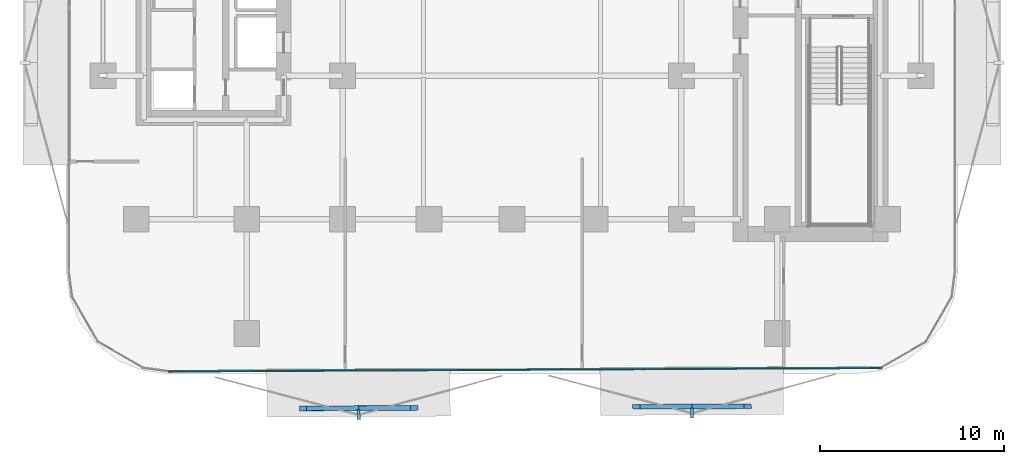
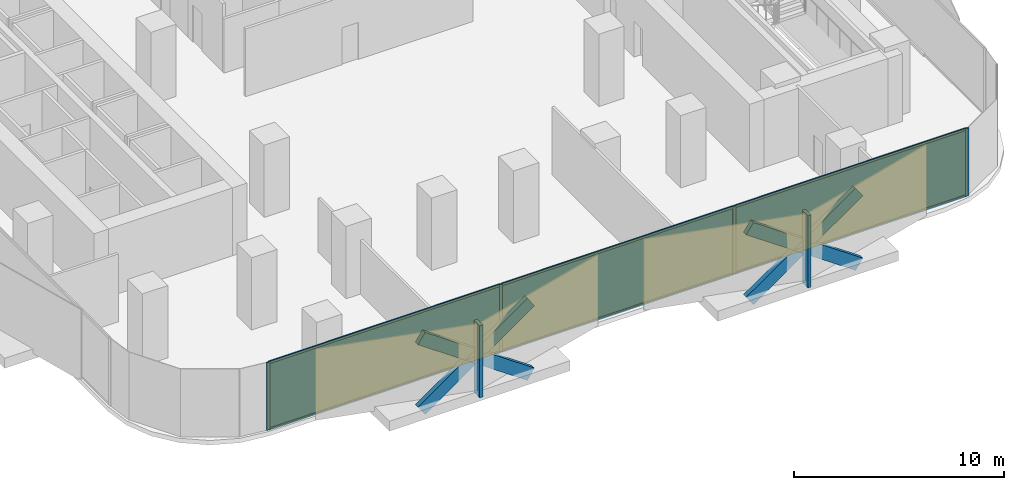
# One storey, part 8 of 16: 16 members, 3 plates, 1 curtain wall.
"""IFC4 building model written with IfcOpenShell, lengths in metres."""

from ifc_helpers import new_model, si_unit, direction, frame, frame_2d, origin, origin_2d, place, context, subcontext, project, spatial, rectangle, extrude, material, layer, layer_set, material_profile, profile_set, type_object, element, aggregate, save


model = new_model("IFC4")

# Units and contexts
model_context = context("Model", 3, precision=1e-05, world=origin(), true_north=direction((0.0, 1.0)))
body_context = subcontext(model_context, "Body", "Model", "MODEL_VIEW")
ifc_project = project(units=[si_unit("LENGTHUNIT", "METRE"), si_unit("AREAUNIT", "SQUARE_METRE"), si_unit("VOLUMEUNIT", "CUBIC_METRE"), si_unit("PLANEANGLEUNIT", "RADIAN"), si_unit("MASSUNIT", "GRAM", prefix="KILO")], contexts=[model_context])

# Member
ifc_material_1 = material(Name="Anodised Bronze Aluminium 6063-T6", Category="aluminium")
ifc_material_profile_1 = material_profile(ifc_material_1, rectangle(XDim=0.260009765625, YDim=0.699951171875, at=origin_2d()))
ifc_profile_set_1 = profile_set([ifc_material_profile_1], Name="Anodised Bronze Aluminium 6063-T6")
member_type_1 = type_object("IfcMemberType", Name="Bronze Diamond Solar-Screen Lattice Rib BDL-700", PredefinedType="MULLION", material=ifc_profile_set_1)
site_placement = place(None, origin())
building_placement = place(site_placement, origin())
storey_placement = place(building_placement, frame((0.0, 0.0, 55.39990234375)))
member_1_placement = place(storey_placement, frame((12.788818359375, -28.747802734375, -0.1298828125), z_axis=(-0.820743653079, -0.003984998518, 0.57128274586), x_axis=(-0.00764700594, 0.999962717129, -0.004010941449)))
member_1 = element("IfcMember", 1, at=member_1_placement, type_object=member_type_1, Name="L13 Bronze Diamond Solar Screen Lattice Rib 57A", PredefinedType="MULLION", context=body_context, shape_type="SweptSolid", body=[
    extrude(rectangle(XDim=0.260009765625, YDim=0.699951171875, at=origin_2d()), origin(), (0.0, 0.0, 1.0), 7.351806640625),
])

member_2_placement = place(storey_placement, frame((6.7548828125, -28.777099609375, -0.1298828125), z_axis=(0.820743653079, 0.003984998518, 0.57128274586), x_axis=(0.00764700594, -0.999962717129, -0.004010941449)))
member_2 = element("IfcMember", 2, at=member_2_placement, type_object=member_type_1, Name="L13 Bronze Diamond Solar Screen Lattice Rib 57B", PredefinedType="MULLION", context=body_context, shape_type="SweptSolid", body=[
    extrude(rectangle(XDim=0.260009765625, YDim=0.699951171875, at=origin_2d()), origin(), (0.0, 0.0, 1.0), 7.351806640625),
])

member_3_placement = place(storey_placement, frame((-5.31298828125, -28.835693359375, -0.1298828125), z_axis=(-0.820743653079, -0.003984998518, 0.57128274586), x_axis=(-0.00764700594, 0.999962717129, -0.004010941449)))
member_3 = element("IfcMember", 3, at=member_3_placement, type_object=member_type_1, Name="L13 Bronze Diamond Solar Screen Lattice Rib 58A", PredefinedType="MULLION", context=body_context, shape_type="SweptSolid", body=[
    extrude(rectangle(XDim=0.260009765625, YDim=0.699951171875, at=origin_2d()), origin(), (0.0, 0.0, 1.0), 7.351806640625),
])

member_4_placement = place(storey_placement, frame((-11.346923828125, -28.864990234375, -0.1298828125), z_axis=(0.820743653079, 0.003984998518, 0.57128274586), x_axis=(0.00764700594, -0.999962717129, -0.004010941449)))
member_4 = element("IfcMember", 4, at=member_4_placement, type_object=member_type_1, Name="L13 Bronze Diamond Solar Screen Lattice Rib 58B", PredefinedType="MULLION", context=body_context, shape_type="SweptSolid", body=[
    extrude(rectangle(XDim=0.260009765625, YDim=0.699951171875, at=origin_2d()), origin(), (0.0, 0.0, 1.0), 7.351806640625),
])

ifc_material_2 = material(Name="Anodised Bronze Aluminium 6063-T6", Category="aluminium")
ifc_material_profile_2 = material_profile(ifc_material_2, rectangle(XDim=0.179931640625, YDim=0.5400390625, at=origin_2d()))
ifc_profile_set_2 = profile_set([ifc_material_profile_2], Name="Anodised Bronze Aluminium 6063-T6")
member_type_2 = type_object("IfcMemberType", Name="Bronze Solar-Screen Vertical Fold Fin BSF-540", PredefinedType="MULLION", material=ifc_profile_set_2)
member_5_placement = place(storey_placement, frame((9.7734375, -29.1025390625, -0.1298828125), z_axis=(0.0, 0.0, 1.0), x_axis=(-0.999988059021, -0.004886902454, 0.0)))
member_5 = element("IfcMember", 5, at=member_5_placement, type_object=member_type_2, Name="L13 Bronze Solar Screen Vertical Fin 57", PredefinedType="MULLION", context=body_context, shape_type="SweptSolid", body=[
    extrude(rectangle(XDim=0.179931640625, YDim=0.5400390625, at=origin_2d()), origin(), (0.0, 0.0, 1.0), 4.199951171875),
])

member_6_placement = place(storey_placement, frame((-8.328369140625, -29.190185546875, -0.1298828125), z_axis=(0.0, 0.0, 1.0), x_axis=(-0.999988059021, -0.004886902454, 0.0)))
member_6 = element("IfcMember", 6, at=member_6_placement, type_object=member_type_2, Name="L13 Bronze Solar Screen Vertical Fin 58", PredefinedType="MULLION", context=body_context, shape_type="SweptSolid", body=[
    extrude(rectangle(XDim=0.179931640625, YDim=0.5400390625, at=origin_2d()), origin(), (0.0, 0.0, 1.0), 4.199951171875),
])

ifc_material_3 = material(Name="Anodised Bronze Aluminium 6063-T6", Category="aluminium")
ifc_material_profile_3 = material_profile(ifc_material_3, rectangle(XDim=0.06494140625, YDim=0.179931640625, at=origin_2d()))
ifc_profile_set_3 = profile_set([ifc_material_profile_3], Name="Anodised Bronze Aluminium 6063-T6")
member_type_3 = type_object("IfcMemberType", Name="CW-Z1 Mullion 65x180", PredefinedType="MULLION", material=ifc_profile_set_3)
member_7_placement = place(storey_placement, frame((19.98046875, -26.6728515625, 0.0), z_axis=(0.0, 0.0, 1.0), x_axis=(0.004849219095, -0.999988242468, 0.0)))
member_7 = element("IfcMember", 7, at=member_7_placement, type_object=member_type_3, Name="CW-Z1 mullion 1", PredefinedType="MULLION", context=body_context, shape_type="SweptSolid", body=[
    extrude(rectangle(XDim=0.06494140625, YDim=0.179931640625, at=origin_2d()), origin(), (0.0, 0.0, 1.0), 3.940185546875),
])

member_8_placement = place(storey_placement, frame((7.14501953125, -26.735107421875, 0.0), z_axis=(0.0, 0.0, 1.0), x_axis=(0.004849219095, -0.999988242468, 0.0)))
member_8 = element("IfcMember", 8, at=member_8_placement, type_object=member_type_3, Name="CW-Z1 mullion 2", PredefinedType="MULLION", context=body_context, shape_type="SweptSolid", body=[
    extrude(rectangle(XDim=0.06494140625, YDim=0.179931640625, at=origin_2d()), origin(), (0.0, 0.0, 1.0), 3.940185546875),
])

member_9_placement = place(storey_placement, frame((-5.722900390625, -26.797607421875, 0.0), z_axis=(0.0, 0.0, 1.0), x_axis=(0.004849219095, -0.999988242468, 0.0)))
member_9 = element("IfcMember", 9, at=member_9_placement, type_object=member_type_3, Name="CW-Z1 mullion 3", PredefinedType="MULLION", context=body_context, shape_type="SweptSolid", body=[
    extrude(rectangle(XDim=0.06494140625, YDim=0.179931640625, at=origin_2d()), origin(), (0.0, 0.0, 1.0), 3.940185546875),
])

member_10_placement = place(storey_placement, frame((-18.558349609375, -26.85986328125, 0.0), z_axis=(0.0, 0.0, 1.0), x_axis=(0.004849219095, -0.999988242468, 0.0)))
member_10 = element("IfcMember", 10, at=member_10_placement, type_object=member_type_3, Name="CW-Z1 mullion 4", PredefinedType="MULLION", context=body_context, shape_type="SweptSolid", body=[
    extrude(rectangle(XDim=0.06494140625, YDim=0.179931640625, at=origin_2d()), origin(), (0.0, 0.0, 1.0), 3.940185546875),
])

ifc_material_4 = material(Name="Anodised Bronze Aluminium 6063-T6", Category="aluminium")
ifc_material_profile_4 = material_profile(ifc_material_4, rectangle(XDim=0.06494140625, YDim=0.139892578125, at=origin_2d()))
ifc_profile_set_4 = profile_set([ifc_material_profile_4], Name="Anodised Bronze Aluminium 6063-T6")
member_type_4 = type_object("IfcMemberType", Name="CW-Z1 Transom 65x140", PredefinedType="USERDEFINED", material=ifc_profile_set_4)
member_11_placement = place(storey_placement, frame((19.947998046875, -26.673095703125, 0.03271484375), z_axis=(-0.99998821055, -0.004855796541, 0.0), x_axis=(0.004855796541, -0.99998821055, 0.0)))
member_11 = element("IfcMember", 11, at=member_11_placement, type_object=member_type_4, Name="CW-Z1 transom 1.1", ObjectType="TRANSOM", PredefinedType="USERDEFINED", context=body_context, shape_type="SweptSolid", body=[
    extrude(rectangle(XDim=0.06494140625, YDim=0.139892578125, at=origin_2d()), origin(), (0.0, 0.0, 1.0), 12.770751953125),
])

member_12_placement = place(storey_placement, frame((19.947998046875, -26.673095703125, 3.90771484375), z_axis=(-0.99998821055, -0.004855796541, 0.0), x_axis=(0.004855796541, -0.99998821055, 0.0)))
member_12 = element("IfcMember", 12, at=member_12_placement, type_object=member_type_4, Name="CW-Z1 transom 1.2", ObjectType="TRANSOM", PredefinedType="USERDEFINED", context=body_context, shape_type="SweptSolid", body=[
    extrude(rectangle(XDim=0.06494140625, YDim=0.139892578125, at=origin_2d()), origin(), (0.0, 0.0, 1.0), 12.770751953125),
])

member_13_placement = place(storey_placement, frame((7.112548828125, -26.7353515625, 0.03271484375), z_axis=(-0.999988270274, -0.004843481639, 0.0), x_axis=(0.004843481639, -0.999988270274, 0.0)))
member_13 = element("IfcMember", 13, at=member_13_placement, type_object=member_type_4, Name="CW-Z1 transom 2.1", ObjectType="TRANSOM", PredefinedType="USERDEFINED", context=body_context, shape_type="SweptSolid", body=[
    extrude(rectangle(XDim=0.06494140625, YDim=0.139892578125, at=origin_2d()), origin(), (0.0, 0.0, 1.0), 12.80322265625),
])

member_14_placement = place(storey_placement, frame((7.112548828125, -26.7353515625, 3.90771484375), z_axis=(-0.999988270274, -0.004843481639, 0.0), x_axis=(0.004843481639, -0.999988270274, 0.0)))
member_14 = element("IfcMember", 14, at=member_14_placement, type_object=member_type_4, Name="CW-Z1 transom 2.2", ObjectType="TRANSOM", PredefinedType="USERDEFINED", context=body_context, shape_type="SweptSolid", body=[
    extrude(rectangle(XDim=0.06494140625, YDim=0.139892578125, at=origin_2d()), origin(), (0.0, 0.0, 1.0), 12.80322265625),
])

member_15_placement = place(storey_placement, frame((-5.75537109375, -26.7978515625, 0.03271484375), z_axis=(-0.999988303196, -0.00483667968, 0.0), x_axis=(0.00483667968, -0.999988303196, 0.0)))
member_15 = element("IfcMember", 15, at=member_15_placement, type_object=member_type_4, Name="CW-Z1 transom 3.1", ObjectType="TRANSOM", PredefinedType="USERDEFINED", context=body_context, shape_type="SweptSolid", body=[
    extrude(rectangle(XDim=0.06494140625, YDim=0.139892578125, at=origin_2d()), origin(), (0.0, 0.0, 1.0), 12.770751953125),
])

member_16_placement = place(storey_placement, frame((-5.75537109375, -26.7978515625, 3.90771484375), z_axis=(-0.999988303196, -0.00483667968, 0.0), x_axis=(0.00483667968, -0.999988303196, 0.0)))
member_16 = element("IfcMember", 16, at=member_16_placement, type_object=member_type_4, Name="CW-Z1 transom 3.2", ObjectType="TRANSOM", PredefinedType="USERDEFINED", context=body_context, shape_type="SweptSolid", body=[
    extrude(rectangle(XDim=0.06494140625, YDim=0.139892578125, at=origin_2d()), origin(), (0.0, 0.0, 1.0), 12.770751953125),
])

# Plate
ifc_material_5 = material(Name="Low-E Solar Control Laminated Glass", Category="glass")
ifc_layer_1 = layer(ifc_material_5, 0.028076171875, Name="Low-E Solar Control Laminated Glass")
ifc_layer_set_1 = layer_set([ifc_layer_1], Name="Low-E Solar Control Laminated Glass")
plate_type = type_object("IfcPlateType", Name="CW-Z1 Low-E Double Glazed Panel 28mm", PredefinedType="CURTAIN_PANEL", material=ifc_layer_set_1)
plate_1_placement = place(storey_placement, frame((13.562744140625, -26.7041015625, 0.065185546875), z_axis=(0.0, 0.0, 1.0), x_axis=(-0.999988242468, -0.004849219095, 0.0)))
plate_1 = element("IfcPlate", 17, at=plate_1_placement, type_object=plate_type, Name="CW-Z1 panel 1.1", PredefinedType="CURTAIN_PANEL", context=body_context, shape_type="SweptSolid", body=[
    extrude(rectangle(XDim=12.7705078125, YDim=0.028076171875, at=origin_2d()), origin(), (0.0, 0.0, 1.0), 3.81005859375),
])

plate_2_placement = place(storey_placement, frame((0.7109375, -26.766357421875, 0.065185546875), z_axis=(0.0, 0.0, 1.0), x_axis=(-0.999988242468, -0.004849219095, 0.0)))
plate_2 = element("IfcPlate", 18, at=plate_2_placement, type_object=plate_type, Name="CW-Z1 panel 2.1", PredefinedType="CURTAIN_PANEL", context=body_context, shape_type="SweptSolid", body=[
    extrude(rectangle(XDim=12.802978515625, YDim=0.028076171875, at=origin_2d()), origin(), (0.0, 0.0, 1.0), 3.81005859375),
])

plate_3_placement = place(storey_placement, frame((-12.140625, -26.82861328125, 0.065185546875), z_axis=(0.0, 0.0, 1.0), x_axis=(-0.999988242468, -0.004849219095, 0.0)))
plate_3 = element("IfcPlate", 19, at=plate_3_placement, type_object=plate_type, Name="CW-Z1 panel 3.1", PredefinedType="CURTAIN_PANEL", context=body_context, shape_type="SweptSolid", body=[
    extrude(rectangle(XDim=12.7705078125, YDim=0.028076171875, at=origin_2d()), origin(), (0.0, 0.0, 1.0), 3.81005859375),
])

# Site, building, storey
site = spatial("IfcSite", under=ifc_project, at=site_placement, CompositionType="ELEMENT")
building = spatial("IfcBuilding", under=site, at=building_placement, Name="Khairoan Windgate Tower", CompositionType="ELEMENT")
storey = spatial("IfcBuildingStorey", under=building, at=storey_placement, Name="L13", CompositionType="ELEMENT", Elevation=55.39990234375)

# Curtain wall
ifc_material_6 = material(Name="Anodised Bronze Aluminium 6063-T6", Category="aluminium")
ifc_layer_2 = layer(ifc_material_6, 0.179931640625, Name="Anodised Bronze Aluminium 6063-T6")
ifc_layer_set_2 = layer_set([ifc_layer_2], Name="Anodised Bronze Aluminium 6063-T6")
curtain_wall_type = type_object("IfcCurtainWallType", Name="Low-Rise Office Unitised Curtain Wall CW-Z1", PredefinedType="NOTDEFINED", material=ifc_layer_set_2)
curtain_wall_placement = place(storey_placement, frame((20.012939453125, -26.6728515625, 0.0), z_axis=(0.0, 0.0, 1.0), x_axis=(-0.999988235487, -0.004850658525, 0.0)))
curtain_wall = element("IfcCurtainWall", 20, at=curtain_wall_placement, inside=storey, type_object=curtain_wall_type, Name="L13 Unitised Curtain Wall 1", PredefinedType="NOTDEFINED", context=body_context, shape_type="SweptSolid", body=[
    extrude(rectangle(XDim=38.604248046875, YDim=0.010009765625, at=frame_2d((19.30224609375, 0.0))), origin(), (0.0, 0.0, 1.0), 3.940185546875),
])

aggregate(curtain_wall, [member_7, member_8, member_9, member_10, member_11, member_12, plate_1, member_13, member_14, plate_2, member_15, member_16, plate_3, member_1, member_2, member_5, member_3, member_4, member_6])

save(model, "model.ifc")
